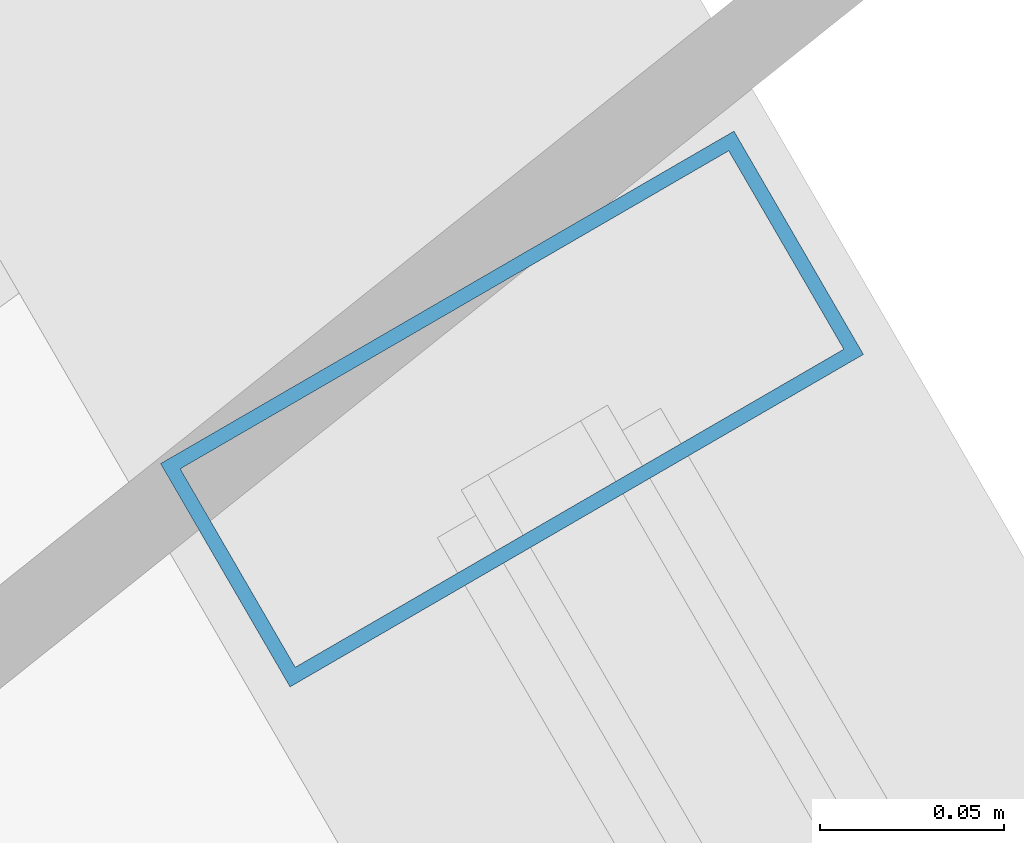
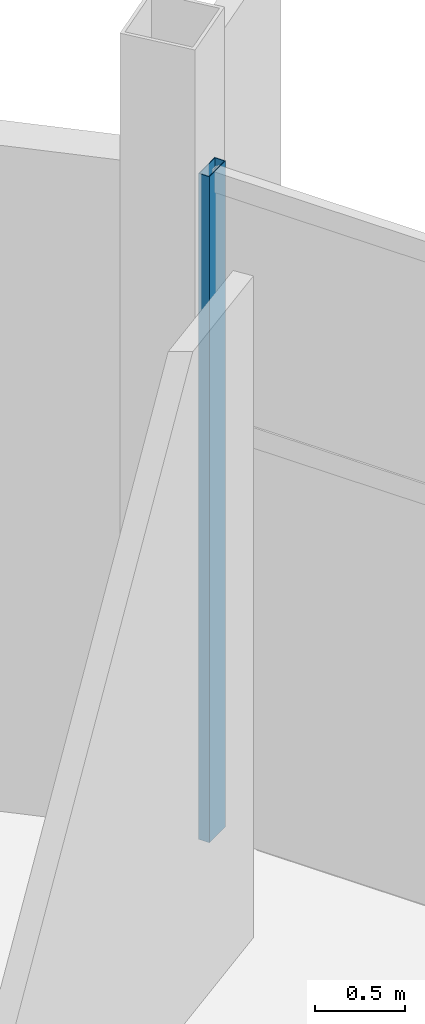
# One storey, part 112 of 186: 1 member, 1 element without a shape of its own.
"""IFC4 building model written with IfcOpenShell, lengths in metres."""

from ifc_helpers import new_model, si_unit, direction, frame, origin, origin_2d, place, context, subcontext, project, spatial, hollow_rectangle, extrude, material, layer, layer_set, material_profile, profile_set, type_object, element, aggregate, save


model = new_model("IFC4")

# Units and contexts
model_context = context("Model", 3, precision=1e-05, world=origin(), true_north=direction((0.0, 1.0)))
body_context = subcontext(model_context, "Body", "Model", "MODEL_VIEW")
ifc_project = project(units=[si_unit("LENGTHUNIT", "METRE"), si_unit("AREAUNIT", "SQUARE_METRE"), si_unit("VOLUMEUNIT", "CUBIC_METRE"), si_unit("PLANEANGLEUNIT", "RADIAN"), si_unit("MASSUNIT", "GRAM", prefix="KILO")], contexts=[model_context])

# Site, building, storey
site_placement = place(None, origin())
site = spatial("IfcSite", under=ifc_project, at=site_placement, CompositionType="ELEMENT")
building_placement = place(site_placement, origin())
building = spatial("IfcBuilding", under=site, at=building_placement, Name="Kazemori Nagisa Stadium", CompositionType="ELEMENT")
storey_placement = place(building_placement, frame((0.0, 0.0, 20.39990234375)))
storey = spatial("IfcBuildingStorey", under=building, at=storey_placement, Name="L04", CompositionType="ELEMENT", Elevation=20.39990234375)

# Curtain wall, member
ifc_material_1 = material(Name="Anodised aluminium 6063-T5", Category="aluminium")
ifc_layer = layer(ifc_material_1, 0.179931640625, Name="Anodised aluminium 6063-T5", Category="aluminium")
ifc_layer_set = layer_set([ifc_layer], Name="Anodised aluminium 6063-T5")
curtain_wall_type = type_object("IfcCurtainWallType", Name="CW_L04R3_101", PredefinedType="USERDEFINED", material=ifc_layer_set)
curtain_wall_placement = place(storey_placement, origin())
curtain_wall = element("IfcCurtainWall", 1, at=curtain_wall_placement, inside=storey, type_object=curtain_wall_type, Name="Unitised curtain wall CW-L04R3-101 L04", ObjectType="UNITISED CURTAIN WALL", PredefinedType="USERDEFINED")
ifc_material_2 = material(Name="Aluminium 6063-T5 anodised", Category="aluminium")
ifc_material_profile = material_profile(ifc_material_2, hollow_rectangle(XDim=0.070068359375, YDim=0.179931640625, WallThickness=0.00390625, at=origin_2d()), Name="ALU-MULL-70x180x4")
ifc_profile_set = profile_set([ifc_material_profile], Name="Aluminium 6063-T5 anodised")
member_type = type_object("IfcMemberType", Name="Mullion_M01", PredefinedType="MULLION", material=ifc_profile_set)
member_placement = place(storey_placement, frame((201.623291015625, 158.447021484375, 0.0), z_axis=(0.0, 0.0, 1.0), x_axis=(-0.501611590054, 0.865092950337, 0.0)))
member = element("IfcMember", 2, at=member_placement, type_object=member_type, Name="Curtain wall mullion CW-L04R3-101-M4", PredefinedType="MULLION", context=body_context, shape_type="SweptSolid", body=[
    extrude(hollow_rectangle(XDim=0.070068359375, YDim=0.179931640625, WallThickness=0.00390625, at=origin_2d()), origin(), (0.0, 0.0, 1.0), 4.530029296875),
])
aggregate(curtain_wall, [member])

save(model, "model.ifc")
